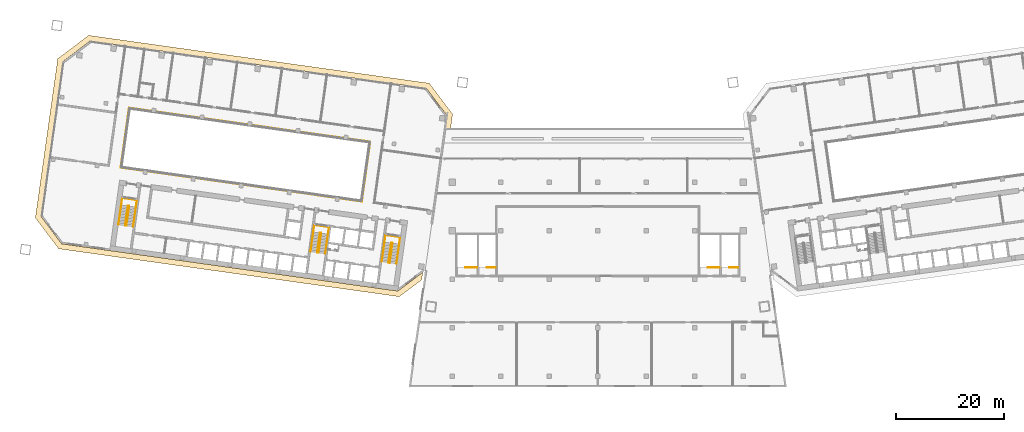
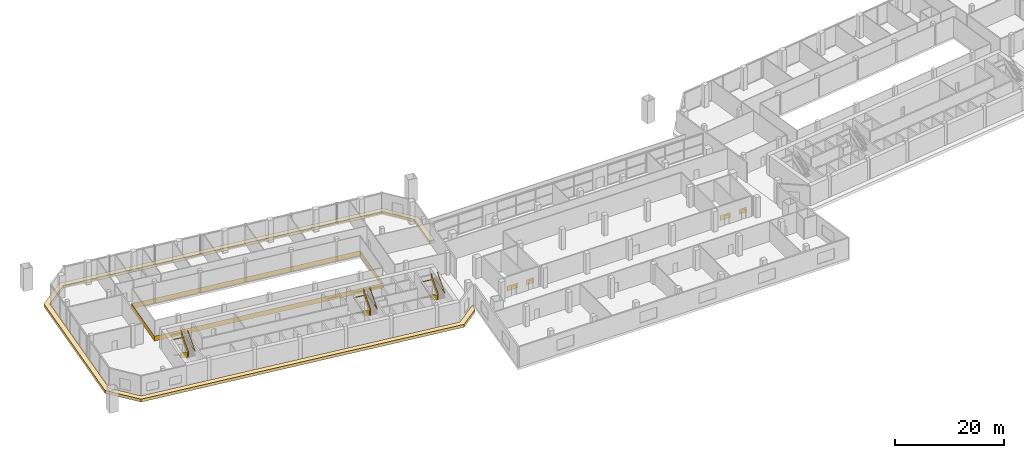
# One storey, part 20 of 21: 11 railings, 1 covering.
"""IFC4 building model written with IfcOpenShell, lengths in metres."""

from ifc_helpers import new_model, si_unit, direction, frame, origin, origin_2d, place, context, subcontext, project, spatial, polyline, rectangle, outline, extrude, material, layer, layer_set, type_object, element, save


model = new_model("IFC4")

# Units and contexts
model_context = context("Model", 3, precision=1e-05, world=origin(), true_north=direction((0.0, 1.0)))
body_context = subcontext(model_context, "Body", "Model", "MODEL_VIEW")
ifc_project = project(units=[si_unit("LENGTHUNIT", "METRE"), si_unit("AREAUNIT", "SQUARE_METRE"), si_unit("VOLUMEUNIT", "CUBIC_METRE"), si_unit("PLANEANGLEUNIT", "RADIAN"), si_unit("MASSUNIT", "GRAM", prefix="KILO")], contexts=[model_context])

# Site, building, storey
site_placement = place(None, origin())
site = spatial("IfcSite", under=ifc_project, at=site_placement, CompositionType="ELEMENT")
building_placement = place(site_placement, origin())
building = spatial("IfcBuilding", under=site, at=building_placement, Name="Mirante Cascada Hotel Towers", CompositionType="ELEMENT")
storey_placement = place(building_placement, frame((0.0, 0.0, 34.5)))
storey = spatial("IfcBuildingStorey", under=building, at=storey_placement, Name="L05", CompositionType="ELEMENT", Elevation=34.5)

# Railings
ifc_material_1 = material(Name="Painted steel", Category="steel")
railing_type_1 = type_object("IfcRailingType", Name="Atrium edge guard 1100 steel balustrade", PredefinedType="GUARDRAIL", material=ifc_material_1)
railing_1_placement = place(storey_placement, frame((-43.7567, -3.601, 0.0)))
element("IfcRailing", 1, at=railing_1_placement, inside=storey, type_object=railing_type_1, Name="Atrium guard T1 L05", PredefinedType="GUARDRAIL", context=body_context, shape_type="SweptSolid", body=[
    extrude(rectangle(XDim=0.048, YDim=0.048, at=origin_2d()), frame((0.0, 0.0, 1.076), z_axis=(-0.9902681, 0.1391726, 0.0), x_axis=(-0.1391726, -0.9902681, 0.0)), (0.0, 0.0, 1.0), 45.2),
    extrude(rectangle(XDim=0.02, YDim=1.052, at=origin_2d()), frame((0.0, 0.0, 0.526), z_axis=(-0.9902681, 0.1391726, 0.0), x_axis=(-0.1391726, -0.9902681, 0.0)), (0.0, 0.0, 1.0), 45.2),
    extrude(rectangle(XDim=0.048, YDim=0.048, at=origin_2d()), frame((-44.7601, 6.2906, 1.076), z_axis=(0.1391697, 0.9902685, 0.0), x_axis=(-0.9902685, 0.1391697, 0.0)), (0.0, 0.0, 1.0), 11.2),
    extrude(rectangle(XDim=0.02, YDim=1.052, at=origin_2d()), frame((-44.7601, 6.2906, 0.526), z_axis=(0.1391697, 0.9902685, 0.0), x_axis=(-0.9902685, 0.1391697, 0.0)), (0.0, 0.0, 1.0), 11.2),
    extrude(rectangle(XDim=0.048, YDim=0.048, at=origin_2d()), frame((-43.2014, 17.3816, 1.076), z_axis=(0.9902681, -0.1391726, 0.0), x_axis=(0.1391726, 0.9902681, 0.0)), (0.0, 0.0, 1.0), 45.2),
    extrude(rectangle(XDim=0.02, YDim=1.052, at=origin_2d()), frame((-43.2014, 17.3816, 0.526), z_axis=(0.9902681, -0.1391726, 0.0), x_axis=(0.1391726, 0.9902681, 0.0)), (0.0, 0.0, 1.0), 45.2),
    extrude(rectangle(XDim=0.048, YDim=0.048, at=origin_2d()), frame((1.5587, 11.091, 1.076), z_axis=(-0.1391697, -0.9902685, 0.0), x_axis=(0.9902685, -0.1391697, 0.0)), (0.0, 0.0, 1.0), 11.2),
    extrude(rectangle(XDim=0.02, YDim=1.052, at=origin_2d()), frame((1.5587, 11.091, 0.526), z_axis=(-0.1391697, -0.9902685, 0.0), x_axis=(0.9902685, -0.1391697, 0.0)), (0.0, 0.0, 1.0), 11.2),
])
ifc_material_2 = material(Name="Painted steel", Category="steel")
railing_type_2 = type_object("IfcRailingType", Name="Podium stair guard 1100 steel balustrade", PredefinedType="GUARDRAIL", material=ifc_material_2)
railing_2_placement = place(storey_placement, frame((-18.925, -15.825, 0.0)))
element("IfcRailing", 2, at=railing_2_placement, inside=storey, type_object=railing_type_2, Name="L05 PS1 top well guard 1", PredefinedType="GUARDRAIL", context=body_context, shape_type="SweptSolid", body=[
    extrude(rectangle(XDim=0.048, YDim=0.048, at=origin_2d()), frame((0.0, 0.0, 1.076), z_axis=(-1.0, 0.0, 0.0), x_axis=(0.0, -1.0, 0.0)), (0.0, 0.0, 1.0), 1.65),
    extrude(rectangle(XDim=0.02, YDim=1.052, at=origin_2d()), frame((0.0, 0.0, 0.526), z_axis=(-1.0, 0.0, 0.0), x_axis=(0.0, -1.0, 0.0)), (0.0, 0.0, 1.0), 1.65),
])
railing_3_placement = place(storey_placement, frame((-22.325, -15.825, 0.0)))
element("IfcRailing", 3, at=railing_3_placement, inside=storey, type_object=railing_type_2, Name="L05 PS3 top well guard 1", PredefinedType="GUARDRAIL", context=body_context, shape_type="SweptSolid", body=[
    extrude(rectangle(XDim=0.048, YDim=0.048, at=origin_2d()), frame((0.0, 0.0, 1.076), z_axis=(-1.0, 0.0, 0.0), x_axis=(0.0, -1.0, 0.0)), (0.0, 0.0, 1.0), 2.25),
    extrude(rectangle(XDim=0.02, YDim=1.052, at=origin_2d()), frame((0.0, 0.0, 0.526), z_axis=(-1.0, 0.0, 0.0), x_axis=(0.0, -1.0, 0.0)), (0.0, 0.0, 1.0), 2.25),
])
railing_4_placement = place(storey_placement, frame((26.075, -15.825, 0.0)))
element("IfcRailing", 4, at=railing_4_placement, inside=storey, type_object=railing_type_2, Name="L05 PS2 top well guard 1", PredefinedType="GUARDRAIL", context=body_context, shape_type="SweptSolid", body=[
    extrude(rectangle(XDim=0.048, YDim=0.048, at=origin_2d()), frame((0.0, 0.0, 1.076), z_axis=(-1.0, 0.0, 0.0), x_axis=(0.0, -1.0, 0.0)), (0.0, 0.0, 1.0), 1.65),
    extrude(rectangle(XDim=0.02, YDim=1.052, at=origin_2d()), frame((0.0, 0.0, 0.526), z_axis=(-1.0, 0.0, 0.0), x_axis=(0.0, -1.0, 0.0)), (0.0, 0.0, 1.0), 1.65),
])
railing_5_placement = place(storey_placement, frame((22.675, -15.825, 0.0)))
element("IfcRailing", 5, at=railing_5_placement, inside=storey, type_object=railing_type_2, Name="L05 PS4 top well guard 1", PredefinedType="GUARDRAIL", context=body_context, shape_type="SweptSolid", body=[
    extrude(rectangle(XDim=0.048, YDim=0.048, at=origin_2d()), frame((0.0, 0.0, 1.076), z_axis=(-1.0, 0.0, 0.0), x_axis=(0.0, -1.0, 0.0)), (0.0, 0.0, 1.0), 2.25),
    extrude(rectangle(XDim=0.02, YDim=1.052, at=origin_2d()), frame((0.0, 0.0, 0.526), z_axis=(-1.0, 0.0, 0.0), x_axis=(0.0, -1.0, 0.0)), (0.0, 0.0, 1.0), 2.25),
])

# Covering
ifc_material_3 = material(Name="Precast concrete C40/50 white", Category="concrete")
ifc_layer = layer(ifc_material_3, 0.6)
ifc_layer_set = layer_set([ifc_layer], Name="Precast concrete SUNSHADE band 1000x600")
covering_type = type_object("IfcCoveringType", Name="Precast concrete SUNSHADE band 1000x600", PredefinedType="CLADDING", material=ifc_layer_set)
covering_placement = place(storey_placement, frame((0.0, 0.0, -0.5)))
element("IfcCovering", 6, at=covering_placement, inside=storey, type_object=covering_type, Name="Precast concrete SUNSHADE band T1 L05", PredefinedType="CLADDING", context=body_context, shape_type="SweptSolid", body=[
    extrude(outline(polyline([(-100.2139, 22.9287), (-94.4698, 27.2572), (-31.2626, 18.374), (-26.9341, 12.6299), (-28.0204, 4.9), (-29.0303, 4.9), (-27.982, 12.3589), (-31.8119, 17.4414), (-94.1988, 26.2093), (-99.2813, 22.3794), (-103.3173, -6.3384), (-99.4874, -11.4209), (-37.1005, -20.1888), (-32.4698, -16.6993), (-32.6666, -18.0998), (-36.8295, -21.2367), (-100.0367, -12.3535), (-104.3652, -6.6094), (-100.2139, 22.9287)])), origin(), (0.0, 0.0, 1.0), 0.65),
])

# Railings
ifc_material_4 = material(Name="Painted steel", Category="steel")
railing_type_3 = type_object("IfcRailingType", Name="Stair guard 1100 steel balustrade", PredefinedType="GUARDRAIL", material=ifc_material_4)
railing_6_placement = place(storey_placement, frame((-38.1178, -11.2603, 0.0)))
element("IfcRailing", 7, at=railing_6_placement, inside=storey, type_object=railing_type_3, Name="L05 ST1-A stair guard 1", PredefinedType="GUARDRAIL", context=body_context, shape_type="SweptSolid", body=[
    extrude(rectangle(XDim=0.048, YDim=0.048, at=origin_2d()), frame((0.0, 0.0, 1.076), z_axis=(-0.9903326, 0.1387133, 0.0), x_axis=(-0.1387133, -0.9903326, 0.0)), (0.0, 0.0, 1.0), 0.1499),
    extrude(rectangle(XDim=0.02, YDim=1.052, at=origin_2d()), frame((0.0, 0.0, 0.526), z_axis=(-0.9903326, 0.1387133, 0.0), x_axis=(-0.1387133, -0.9903326, 0.0)), (0.0, 0.0, 1.0), 0.1499),
    extrude(rectangle(XDim=0.048, YDim=0.048, at=origin_2d()), frame((-0.1485, 0.0208, 1.076), z_axis=(-0.7991505, -0.6011309, 0.0), x_axis=(0.6011309, -0.7991505, 0.0)), (0.0, 0.9297991, 0.3680675), 0.1921),
    extrude(rectangle(XDim=0.02, YDim=1.052, at=origin_2d()), frame((-0.1485, 0.0208, 0.526), z_axis=(-0.7991505, -0.6011309, 0.0), x_axis=(0.6011309, -0.7991505, 0.0)), (0.0, 0.9297991, 0.3680675), 0.1921),
    extrude(rectangle(XDim=0.048, YDim=0.048, at=origin_2d()), frame((-0.205, -0.0217, 1.2546), z_axis=(-0.1391749, -0.9902678, 0.0), x_axis=(0.9902678, -0.1391749, 0.0)), (0.0, 0.5377029, 0.8431344), 4.3173),
    extrude(rectangle(XDim=0.02, YDim=1.052, at=origin_2d()), frame((-0.205, -0.0217, 0.7046), z_axis=(-0.1391749, -0.9902678, 0.0), x_axis=(0.9902678, -0.1391749, 0.0)), (0.0, 0.5377029, 0.8431344), 4.3173),
    extrude(rectangle(XDim=0.048, YDim=0.048, at=origin_2d()), frame((-0.7116, -3.6263, 3.576), z_axis=(0.9270311, -0.3749843, 0.0), x_axis=(0.3749843, 0.9270311, 0.0)), (0.0, 0.0, 1.0), 0.2061),
    extrude(rectangle(XDim=0.02, YDim=1.052, at=origin_2d()), frame((-0.7116, -3.6263, 3.026), z_axis=(0.9270311, -0.3749843, 0.0), x_axis=(0.3749843, 0.9270311, 0.0)), (0.0, 0.0, 1.0), 0.2061),
    extrude(rectangle(XDim=0.048, YDim=0.048, at=origin_2d()), frame((-0.5205, -3.7036, 3.576), z_axis=(-0.9903326, 0.1387133, 0.0), x_axis=(-0.1387133, -0.9903326, 0.0)), (0.0, 0.0, 1.0), 0.1499),
    extrude(rectangle(XDim=0.02, YDim=1.052, at=origin_2d()), frame((-0.5205, -3.7036, 3.026), z_axis=(-0.9903326, 0.1387133, 0.0), x_axis=(-0.1387133, -0.9903326, 0.0)), (0.0, 0.0, 1.0), 0.1499),
    extrude(rectangle(XDim=0.048, YDim=0.048, at=origin_2d()), frame((-0.669, -3.6828, 3.576), z_axis=(0.9944441, 0.1052656, 0.0), x_axis=(-0.1052656, 0.9944441, 0.0)), (0.0, 0.6548064, 0.7557966), 0.2728),
    extrude(rectangle(XDim=0.02, YDim=1.052, at=origin_2d()), frame((-0.669, -3.6828, 3.026), z_axis=(0.9944441, 0.1052656, 0.0), x_axis=(-0.1052656, 0.9944441, 0.0)), (0.0, 0.6548064, 0.7557966), 0.2728),
    extrude(rectangle(XDim=0.048, YDim=0.048, at=origin_2d()), frame((-0.464, -3.6611, 3.7546), z_axis=(0.1391749, 0.9902678, 0.0), x_axis=(-0.9902678, 0.1391749, 0.0)), (0.0, 0.5377029, 0.8431344), 4.3173),
    extrude(rectangle(XDim=0.02, YDim=1.052, at=origin_2d()), frame((-0.464, -3.6611, 3.2046), z_axis=(0.1391749, 0.9902678, 0.0), x_axis=(-0.9902678, 0.1391749, 0.0)), (0.0, 0.5377029, 0.8431344), 4.3173),
])
railing_7_placement = place(storey_placement, frame((-51.3379, -9.4024, 0.0)))
element("IfcRailing", 8, at=railing_7_placement, inside=storey, type_object=railing_type_3, Name="L05 ST1-B stair guard 1", PredefinedType="GUARDRAIL", context=body_context, shape_type="SweptSolid", body=[
    extrude(rectangle(XDim=0.048, YDim=0.048, at=origin_2d()), frame((0.0, 0.0, 1.076), z_axis=(-0.9902408, 0.1393672, 0.0), x_axis=(-0.1393672, -0.9902408, 0.0)), (0.0, 0.0, 1.0), 0.15),
    extrude(rectangle(XDim=0.02, YDim=1.052, at=origin_2d()), frame((0.0, 0.0, 0.526), z_axis=(-0.9902408, 0.1393672, 0.0), x_axis=(-0.1393672, -0.9902408, 0.0)), (0.0, 0.0, 1.0), 0.15),
    extrude(rectangle(XDim=0.048, YDim=0.048, at=origin_2d()), frame((-0.1485, 0.0209, 1.076), z_axis=(-0.7984711, -0.6020331, 0.0), x_axis=(0.6020331, -0.7984711, 0.0)), (0.0, 0.9296919, 0.3683382), 0.1921),
    extrude(rectangle(XDim=0.02, YDim=1.052, at=origin_2d()), frame((-0.1485, 0.0209, 0.526), z_axis=(-0.7984711, -0.6020331, 0.0), x_axis=(0.6020331, -0.7984711, 0.0)), (0.0, 0.9296919, 0.3683382), 0.1921),
    extrude(rectangle(XDim=0.048, YDim=0.048, at=origin_2d()), frame((-0.205, -0.0217, 1.2546), z_axis=(-0.1391786, -0.9902673, 0.0), x_axis=(0.9902673, -0.1391786, 0.0)), (0.0, 0.5377133, 0.8431278), 4.3172),
    extrude(rectangle(XDim=0.02, YDim=1.052, at=origin_2d()), frame((-0.205, -0.0217, 0.7046), z_axis=(-0.1391786, -0.9902673, 0.0), x_axis=(0.9902673, -0.1391786, 0.0)), (0.0, 0.5377133, 0.8431278), 4.3172),
    extrude(rectangle(XDim=0.048, YDim=0.048, at=origin_2d()), frame((-0.7116, -3.6262, 3.576), z_axis=(0.9268624, -0.3754011, 0.0), x_axis=(0.3754011, 0.9268624, 0.0)), (0.0, 0.0, 1.0), 0.2062),
    extrude(rectangle(XDim=0.02, YDim=1.052, at=origin_2d()), frame((-0.7116, -3.6262, 3.026), z_axis=(0.9268624, -0.3754011, 0.0), x_axis=(0.3754011, 0.9268624, 0.0)), (0.0, 0.0, 1.0), 0.2062),
    extrude(rectangle(XDim=0.048, YDim=0.048, at=origin_2d()), frame((-0.5205, -3.7036, 3.576), z_axis=(-0.9902408, 0.1393672, 0.0), x_axis=(-0.1393672, -0.9902408, 0.0)), (0.0, 0.0, 1.0), 0.15),
    extrude(rectangle(XDim=0.02, YDim=1.052, at=origin_2d()), frame((-0.5205, -3.7036, 3.026), z_axis=(-0.9902408, 0.1393672, 0.0), x_axis=(-0.1393672, -0.9902408, 0.0)), (0.0, 0.0, 1.0), 0.15),
    extrude(rectangle(XDim=0.048, YDim=0.048, at=origin_2d()), frame((-0.669, -3.6827, 3.576), z_axis=(0.9944441, 0.1052656, 0.0), x_axis=(-0.1052656, 0.9944441, 0.0)), (0.0, 0.6548064, 0.7557966), 0.2728),
    extrude(rectangle(XDim=0.02, YDim=1.052, at=origin_2d()), frame((-0.669, -3.6827, 3.026), z_axis=(0.9944441, 0.1052656, 0.0), x_axis=(-0.1052656, 0.9944441, 0.0)), (0.0, 0.6548064, 0.7557966), 0.2728),
    extrude(rectangle(XDim=0.048, YDim=0.048, at=origin_2d()), frame((-0.464, -3.661, 3.7546), z_axis=(0.1391786, 0.9902673, 0.0), x_axis=(-0.9902673, 0.1391786, 0.0)), (0.0, 0.5377133, 0.8431278), 4.3172),
    extrude(rectangle(XDim=0.02, YDim=1.052, at=origin_2d()), frame((-0.464, -3.661, 3.2046), z_axis=(0.1391786, 0.9902673, 0.0), x_axis=(-0.9902673, 0.1391786, 0.0)), (0.0, 0.5377133, 0.8431278), 4.3172),
])
railing_8_placement = place(storey_placement, frame((-86.9875, -4.3922, 0.0)))
element("IfcRailing", 9, at=railing_8_placement, inside=storey, type_object=railing_type_3, Name="L05 ST1-C stair guard 1", PredefinedType="GUARDRAIL", context=body_context, shape_type="SweptSolid", body=[
    extrude(rectangle(XDim=0.048, YDim=0.048, at=origin_2d()), frame((0.0, 0.0, 1.076), z_axis=(-0.9902537, 0.1392753, 0.0), x_axis=(-0.1392753, -0.9902537, 0.0)), (0.0, 0.0, 1.0), 0.1501),
    extrude(rectangle(XDim=0.02, YDim=1.052, at=origin_2d()), frame((0.0, 0.0, 0.526), z_axis=(-0.9902537, 0.1392753, 0.0), x_axis=(-0.1392753, -0.9902537, 0.0)), (0.0, 0.0, 1.0), 0.1501),
    extrude(rectangle(XDim=0.048, YDim=0.048, at=origin_2d()), frame((-0.1486, 0.0209, 1.076), z_axis=(-0.7986386, -0.601811, 0.0), x_axis=(0.601811, -0.7986386, 0.0)), (0.0, 0.9299414, 0.3677079), 0.1921),
    extrude(rectangle(XDim=0.02, YDim=1.052, at=origin_2d()), frame((-0.1486, 0.0209, 0.526), z_axis=(-0.7986386, -0.601811, 0.0), x_axis=(0.601811, -0.7986386, 0.0)), (0.0, 0.9299414, 0.3677079), 0.1921),
    extrude(rectangle(XDim=0.048, YDim=0.048, at=origin_2d()), frame((-0.205, -0.0216, 1.2546), z_axis=(-0.1391749, -0.9902678, 0.0), x_axis=(0.9902678, -0.1391749, 0.0)), (0.0, 0.5377029, 0.8431344), 4.3173),
    extrude(rectangle(XDim=0.02, YDim=1.052, at=origin_2d()), frame((-0.205, -0.0216, 0.7046), z_axis=(-0.1391749, -0.9902678, 0.0), x_axis=(0.9902678, -0.1391749, 0.0)), (0.0, 0.5377029, 0.8431344), 4.3173),
    extrude(rectangle(XDim=0.048, YDim=0.048, at=origin_2d()), frame((-0.7116, -3.6262, 3.576), z_axis=(0.9268624, -0.3754011, 0.0), x_axis=(0.3754011, 0.9268624, 0.0)), (0.0, 0.0, 1.0), 0.2062),
    extrude(rectangle(XDim=0.02, YDim=1.052, at=origin_2d()), frame((-0.7116, -3.6262, 3.026), z_axis=(0.9268624, -0.3754011, 0.0), x_axis=(0.3754011, 0.9268624, 0.0)), (0.0, 0.0, 1.0), 0.2062),
    extrude(rectangle(XDim=0.048, YDim=0.048, at=origin_2d()), frame((-0.5205, -3.7036, 3.576), z_axis=(-0.9902537, 0.1392753, 0.0), x_axis=(-0.1392753, -0.9902537, 0.0)), (0.0, 0.0, 1.0), 0.1501),
    extrude(rectangle(XDim=0.02, YDim=1.052, at=origin_2d()), frame((-0.5205, -3.7036, 3.026), z_axis=(-0.9902537, 0.1392753, 0.0), x_axis=(-0.1392753, -0.9902537, 0.0)), (0.0, 0.0, 1.0), 0.1501),
    extrude(rectangle(XDim=0.048, YDim=0.048, at=origin_2d()), frame((-0.6691, -3.6827, 3.576), z_axis=(0.9944441, 0.1052656, 0.0), x_axis=(-0.1052656, 0.9944441, 0.0)), (0.0, 0.6548064, 0.7557966), 0.2728),
    extrude(rectangle(XDim=0.02, YDim=1.052, at=origin_2d()), frame((-0.6691, -3.6827, 3.026), z_axis=(0.9944441, 0.1052656, 0.0), x_axis=(-0.1052656, 0.9944441, 0.0)), (0.0, 0.6548064, 0.7557966), 0.2728),
    extrude(rectangle(XDim=0.048, YDim=0.048, at=origin_2d()), frame((-0.4641, -3.661, 3.7546), z_axis=(0.1391749, 0.9902678, 0.0), x_axis=(-0.9902678, 0.1391749, 0.0)), (0.0, 0.5377029, 0.8431344), 4.3173),
    extrude(rectangle(XDim=0.02, YDim=1.052, at=origin_2d()), frame((-0.4641, -3.661, 3.2046), z_axis=(0.1391749, 0.9902678, 0.0), x_axis=(-0.9902678, 0.1391749, 0.0)), (0.0, 0.5377029, 0.8431344), 4.3173),
])
ifc_material_5 = material(Name="Painted steel", Category="steel")
railing_type_4 = type_object("IfcRailingType", Name="Stair handrail 900 steel tube", PredefinedType="HANDRAIL", material=ifc_material_5)
railing_9_placement = place(storey_placement, frame((-39.5606, -11.1081, 0.1786)))
element("IfcRailing", 10, at=railing_9_placement, inside=storey, type_object=railing_type_4, Name="L05 ST1-A stair handrail 1", PredefinedType="HANDRAIL", context=body_context, shape_type="SweptSolid", body=[
    extrude(rectangle(XDim=0.048, YDim=0.048, at=origin_2d()), frame((0.0, 0.0, 0.876), z_axis=(-0.1391786, -0.9902673, 0.0), x_axis=(0.9902673, -0.1391786, 0.0)), (0.0, 0.5377133, 0.8431278), 4.3172),
    extrude(rectangle(XDim=0.048, YDim=0.048, at=origin_2d()), frame((-0.5066, -3.6045, 3.1974), z_axis=(0.1391708, 0.9902684, 0.0), x_axis=(-0.9902684, 0.1391708, 0.0)), (0.0, 0.0361304, 0.9993471), 4.9432),
    extrude(rectangle(XDim=0.048, YDim=0.048, at=origin_2d()), frame((0.1809, 1.2874, 3.376), z_axis=(0.9902691, -0.1391657, 0.0), x_axis=(0.1391657, 0.9902691, 0.0)), (0.0, 0.0, 1.0), 2.75),
    extrude(rectangle(XDim=0.048, YDim=0.048, at=origin_2d()), frame((2.9041, 0.9047, 3.376), z_axis=(-0.139168, -0.9902688, 0.0), x_axis=(0.9902688, -0.139168, 0.0)), (0.0, 0.0, 1.0), 4.9401),
    extrude(rectangle(XDim=0.048, YDim=0.048, at=origin_2d()), frame((2.2166, -3.9873, 3.376), z_axis=(0.1391749, 0.9902678, 0.0), x_axis=(-0.9902678, 0.1391749, 0.0)), (0.0, 0.5377029, 0.8431344), 4.3173),
])
railing_10_placement = place(storey_placement, frame((-52.7807, -9.2501, 0.1786)))
element("IfcRailing", 11, at=railing_10_placement, inside=storey, type_object=railing_type_4, Name="L05 ST1-B stair handrail 1", PredefinedType="HANDRAIL", context=body_context, shape_type="SweptSolid", body=[
    extrude(rectangle(XDim=0.048, YDim=0.048, at=origin_2d()), frame((0.0, 0.0, 0.876), z_axis=(-0.1391749, -0.9902678, 0.0), x_axis=(0.9902678, -0.1391749, 0.0)), (0.0, 0.5377029, 0.8431344), 4.3173),
    extrude(rectangle(XDim=0.048, YDim=0.048, at=origin_2d()), frame((-0.5066, -3.6046, 3.1974), z_axis=(0.139168, 0.9902688, 0.0), x_axis=(-0.9902688, 0.139168, 0.0)), (0.0, 0.0361297, 0.9993471), 4.9433),
    extrude(rectangle(XDim=0.048, YDim=0.048, at=origin_2d()), frame((0.1809, 1.2874, 3.376), z_axis=(0.9902641, -0.1392013, 0.0), x_axis=(0.1392013, 0.9902641, 0.0)), (0.0, 0.0, 1.0), 2.75),
    extrude(rectangle(XDim=0.048, YDim=0.048, at=origin_2d()), frame((2.9041, 0.9046, 3.376), z_axis=(-0.1391708, -0.9902684, 0.0), x_axis=(0.9902684, -0.1391708, 0.0)), (0.0, 0.0, 1.0), 4.94),
    extrude(rectangle(XDim=0.048, YDim=0.048, at=origin_2d()), frame((2.2166, -3.9873, 3.376), z_axis=(0.1391749, 0.9902678, 0.0), x_axis=(-0.9902678, 0.1391749, 0.0)), (0.0, 0.5377029, 0.8431344), 4.3173),
])
railing_11_placement = place(storey_placement, frame((-88.4304, -4.2399, 0.1786)))
element("IfcRailing", 12, at=railing_11_placement, inside=storey, type_object=railing_type_4, Name="L05 ST1-C stair handrail 1", PredefinedType="HANDRAIL", context=body_context, shape_type="SweptSolid", body=[
    extrude(rectangle(XDim=0.048, YDim=0.048, at=origin_2d()), frame((0.0, 0.0, 0.876), z_axis=(-0.1391786, -0.9902673, 0.0), x_axis=(0.9902673, -0.1391786, 0.0)), (0.0, 0.5377133, 0.8431278), 4.3172),
    extrude(rectangle(XDim=0.048, YDim=0.048, at=origin_2d()), frame((-0.5066, -3.6045, 3.1974), z_axis=(0.1391906, 0.9902656, 0.0), x_axis=(-0.9902656, 0.1391906, 0.0)), (0.0, 0.0361303, 0.9993471), 4.9432),
    extrude(rectangle(XDim=0.048, YDim=0.048, at=origin_2d()), frame((0.181, 1.2874, 3.376), z_axis=(0.9902691, -0.1391657, 0.0), x_axis=(0.1391657, 0.9902691, 0.0)), (0.0, 0.0, 1.0), 2.75),
    extrude(rectangle(XDim=0.048, YDim=0.048, at=origin_2d()), frame((2.9042, 0.9047, 3.376), z_axis=(-0.139168, -0.9902688, 0.0), x_axis=(0.9902688, -0.139168, 0.0)), (0.0, 0.0, 1.0), 4.9401),
    extrude(rectangle(XDim=0.048, YDim=0.048, at=origin_2d()), frame((2.2167, -3.9873, 3.376), z_axis=(0.1391749, 0.9902678, 0.0), x_axis=(-0.9902678, 0.1391749, 0.0)), (0.0, 0.5377029, 0.8431344), 4.3173),
])

save(model, "model.ifc")
